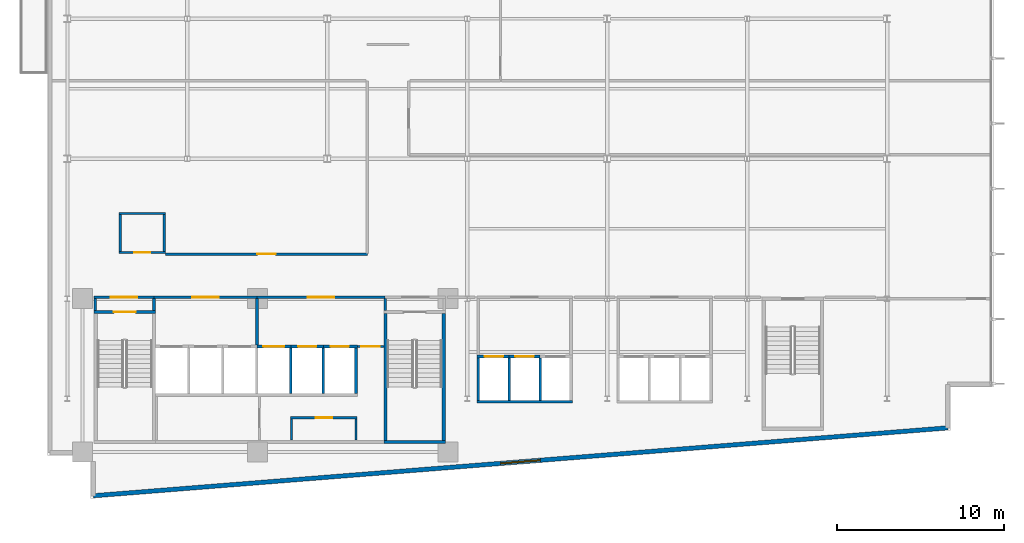
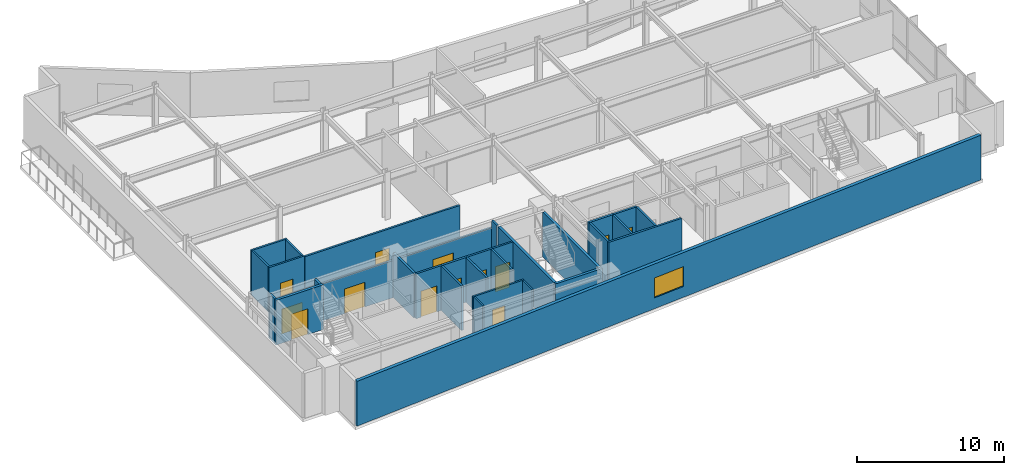
# One storey, part 10 of 17: 33 walls, 13 doors, 1 window, 14 openings.
"""IFC4 building model written with IfcOpenShell, lengths in metres."""

import ifcopenshell
import ifcopenshell.guid

model = None  # the IFC model being written
_history = None  # IfcOwnerHistory: only IFC2X3 demands one
_inside = {}  # id of a spatial element -> (the spatial element, [elements in it])
_under = {}  # id of a project, library or spatial element -> (it, [spatial elements below it])
_declared = {}  # id of a project -> (the project, [libraries it declares])
_typed = {}  # id of a type object -> (the type object, [elements of that type])
_made_of = {}  # id of a material, layer set ... -> (it, [elements and type objects made of it])


def new_model(schema):
    """Start an empty IFC model of exactly this schema.

    Asked for "IFC4X3", IfcOpenShell would pick the latest addendum, in which some entities
    have other attributes; the version numbers below select the first issue.
    IFC2X3 requires an IfcOwnerHistory on every rooted entity: one is made here for all.
    """
    global model, _history
    if schema == "IFC4X3":
        model = ifcopenshell.file(schema_version=(4, 3, 0, 0))
    else:
        model = ifcopenshell.file(schema=schema)
    _inside.clear()
    _under.clear()
    _declared.clear()
    _typed.clear()
    _made_of.clear()
    _history = None
    if model.schema == "IFC2X3":
        org = make("IfcOrganization", Name="unknown")
        user = make(
            "IfcPersonAndOrganization",
            ThePerson=make("IfcPerson", FamilyName="unknown"),
            TheOrganization=org,
        )
        app = make(
            "IfcApplication",
            ApplicationDeveloper=org,
            Version="unknown",
            ApplicationFullName="unknown",
            ApplicationIdentifier="unknown",
        )
        _history = make(
            "IfcOwnerHistory",
            OwningUser=user,
            OwningApplication=app,
            ChangeAction="ADDED",
            CreationDate=0,
        )
    return model


def make(cls, **values):
    """One entity of the class cls with the attributes given. An attribute that is None is left unset."""
    return model.create_entity(
        cls, **{name: value for name, value in values.items() if value is not None}
    )


def rooted(cls, **values):
    """An entity with a GlobalId (a new one), such as an element, a storey or a relation."""
    return make(cls, GlobalId=ifcopenshell.guid.new(), OwnerHistory=_history, **values)


def si_unit(unit_type, name, prefix=None):
    """IfcSIUnit, for example si_unit("LENGTHUNIT", "METRE", prefix="MILLI")."""
    return make("IfcSIUnit", UnitType=unit_type, Prefix=prefix, Name=name)


def assignment(units):
    """IfcUnitAssignment: the units of a project."""
    return None if units is None else make("IfcUnitAssignment", Units=units)


def point(xyz):
    """IfcCartesianPoint."""
    return None if xyz is None else make("IfcCartesianPoint", Coordinates=xyz)


def direction(xyz):
    """IfcDirection."""
    return None if xyz is None else make("IfcDirection", DirectionRatios=xyz)


def frame(location, z_axis=None, x_axis=None):
    """IfcAxis2Placement3D, a coordinate frame: its origin and axes. An axis left out is left unset."""
    return make(
        "IfcAxis2Placement3D",
        Location=point(location),
        Axis=direction(z_axis),
        RefDirection=direction(x_axis),
    )


def frame_2d(location, x_axis=None):
    """IfcAxis2Placement2D, a coordinate frame in the plane: its origin and x axis."""
    return make(
        "IfcAxis2Placement2D", Location=point(location), RefDirection=direction(x_axis)
    )


def origin():
    """The frame at (0, 0, 0) with its axes left unset."""
    return frame((0.0, 0.0, 0.0))


def place(relative_to, where):
    """IfcLocalPlacement: puts the frame where relative to a parent placement (None: the world)."""
    return make(
        "IfcLocalPlacement", PlacementRelTo=relative_to, RelativePlacement=where
    )


def context(
    kind, dimensions, precision=None, world=None, true_north=None, identifier=None
):
    """IfcGeometricRepresentationContext, for example the 3D "Model" context."""
    return make(
        "IfcGeometricRepresentationContext",
        ContextIdentifier=identifier,
        ContextType=kind,
        CoordinateSpaceDimension=dimensions,
        Precision=precision,
        WorldCoordinateSystem=world,
        TrueNorth=true_north,
    )


def subcontext(parent, identifier, kind, view, scale=None):
    """IfcGeometricRepresentationSubContext, for example "Body" below "Model"."""
    return make(
        "IfcGeometricRepresentationSubContext",
        ContextIdentifier=identifier,
        ContextType=kind,
        ParentContext=parent,
        TargetScale=scale,
        TargetView=view,
    )


def project(units=None, contexts=None):
    """IfcProject with its units and contexts."""
    return rooted(
        "IfcProject",
        Name="project",
        RepresentationContexts=contexts,
        UnitsInContext=assignment(units),
    )


def spatial(cls, under=None, at=None, **own):
    """A site, building, storey or space (cls), placed at a placement, below another one or the project."""
    s = rooted(cls, ObjectPlacement=at, **own)
    if under is not None:
        _under.setdefault(under.id(), (under, []))[1].append(s)
    return s


def profile(cls, at=None, kind="AREA", **sizes):
    """A parametric profile (cls). Its sizes go by their IFC names, for example OverallWidth=200.0."""
    return make(cls, ProfileType=kind, Position=at, **sizes)


def rectangle(**sizes):
    """IfcRectangleProfileDef."""
    return profile("IfcRectangleProfileDef", **sizes)


def extrude(swept, where, along, depth):
    """IfcExtrudedAreaSolid: the profile swept, set in the frame where, extruded along a direction by depth."""
    return make(
        "IfcExtrudedAreaSolid",
        SweptArea=swept,
        Position=where,
        ExtrudedDirection=direction(along),
        Depth=depth,
    )


def shape(context_of_items, identifier, shape_type, items):
    """IfcShapeRepresentation: the items that make up one representation, for example the "Body"."""
    return make(
        "IfcShapeRepresentation",
        ContextOfItems=context_of_items,
        RepresentationIdentifier=identifier,
        RepresentationType=shape_type,
        Items=items,
    )


def material(Name=None, Category=None):
    """IfcMaterial."""
    return make("IfcMaterial", Name=Name, Category=Category)


def layer(
    of_material, thickness, ventilated=None, Name=None, Category=None, Priority=None
):
    """IfcMaterialLayer: one layer of a wall or slab, of a material (None: an air gap)."""
    return make(
        "IfcMaterialLayer",
        Material=of_material,
        LayerThickness=thickness,
        IsVentilated=ventilated,
        Name=Name,
        Category=Category,
        Priority=Priority,
    )


def layer_set(layers, Name=None):
    """IfcMaterialLayerSet."""
    return make("IfcMaterialLayerSet", MaterialLayers=layers, LayerSetName=Name)


def made_of(thing, what):
    """Note that an element or type object is made of a material, layer set ...; save() writes the relation."""
    if what is not None:
        _made_of.setdefault(what.id(), (what, []))[1].append(thing)
    return thing


def type_object(cls, material=None, **own):
    """A type object (cls), such as IfcWallType, which elements share."""
    return made_of(rooted(cls, **own), material)


def element(
    cls,
    number,
    at=None,
    inside=None,
    cuts=None,
    type_object=None,
    material=None,
    context=None,
    identifier="Body",
    shape_type=None,
    held_by="IfcProductDefinitionShape",
    body=None,
    shapes=None,
    **own,
):
    """One element of the class cls, such as IfcWall. Its Tag is "e" and its number.

    at: its placement. inside: the storey or other place that contains it. cuts: it is an
    opening in that element (IfcRelVoidsElement). A single representation is given by context,
    identifier, shape_type and body (its items); several are given by shapes. held_by: the class
    of the entity that holds the representations. save() writes the other relations.
    """
    e = rooted(cls, Tag="e%d" % number, ObjectPlacement=at, **own)
    if body is not None:
        shapes = [shape(context, identifier, shape_type, body)]
    if shapes is not None:
        e.Representation = make(held_by, Representations=shapes)
    if inside is not None:
        _inside.setdefault(inside.id(), (inside, []))[1].append(e)
    if cuts is not None:
        rooted(
            "IfcRelVoidsElement", RelatingBuildingElement=cuts, RelatedOpeningElement=e
        )
    if type_object is not None:
        _typed.setdefault(type_object.id(), (type_object, []))[1].append(e)
    return made_of(e, material)


def fill(opening, filler):
    """IfcRelFillsElement: the door or window that sits in an opening."""
    return rooted(
        "IfcRelFillsElement",
        RelatingOpeningElement=opening,
        RelatedBuildingElement=filler,
    )


def aggregate(whole, parts):
    """IfcRelAggregates: a whole, such as a stair, and the parts it consists of."""
    return rooted("IfcRelAggregates", RelatingObject=whole, RelatedObjects=parts)


def save(model, path):
    """Write the relations noted so far, then the file.

    IfcRelAggregates (storeys below a building ...), IfcRelContainedInSpatialStructure (elements
    in a storey), IfcRelDefinesByType, IfcRelAssociatesMaterial and IfcRelDeclares: one each for
    every whole, place, type object, material and project.
    """
    for whole, parts in _under.values():
        aggregate(whole, parts)
    for where, things in _inside.values():
        rooted(
            "IfcRelContainedInSpatialStructure",
            RelatedElements=things,
            RelatingStructure=where,
        )
    for kind, things in _typed.values():
        rooted("IfcRelDefinesByType", RelatedObjects=things, RelatingType=kind)
    for what, things in _made_of.values():
        rooted("IfcRelAssociatesMaterial", RelatedObjects=things, RelatingMaterial=what)
    for by, libraries in _declared.values():
        rooted("IfcRelDeclares", RelatingContext=by, RelatedDefinitions=libraries)
    model.write(path)


model = new_model("IFC4")

# Units and contexts
model_context = context("Model", 3, precision=1e-05, world=origin(), true_north=direction((0.0, 1.0)))
body_context = subcontext(model_context, "Body", "Model", "MODEL_VIEW")
ifc_project = project(units=[si_unit("LENGTHUNIT", "METRE"), si_unit("AREAUNIT", "SQUARE_METRE"), si_unit("VOLUMEUNIT", "CUBIC_METRE"), si_unit("PLANEANGLEUNIT", "RADIAN"), si_unit("MASSUNIT", "GRAM", prefix="KILO")], contexts=[model_context])

# Site, building, storey
site_placement = place(None, origin())
site = spatial("IfcSite", under=ifc_project, at=site_placement, CompositionType="ELEMENT")
building_placement = place(site_placement, origin())
building = spatial("IfcBuilding", under=site, at=building_placement, Name="Varnakote Quay Hospital", CompositionType="ELEMENT")
storey_placement = place(building_placement, frame((0.0, 0.0, 103.35009765625)))
storey = spatial("IfcBuildingStorey", under=building, at=storey_placement, Name="L25", CompositionType="ELEMENT", Elevation=103.35009765625)

# Wall
ifc_material_1 = material(Name="Fire-rated acoustic gypsum stud wall", Category="gypsum")
ifc_layer_1 = layer(ifc_material_1, 0.159912109375)
ifc_layer_set_1 = layer_set([ifc_layer_1], Name="Fire-rated acoustic gypsum stud wall")
wall_type_1 = type_object("IfcWallType", Name="WL-COMP-160", PredefinedType="PARTITIONING", material=ifc_layer_set_1)
wall_1_placement = place(storey_placement, frame((2.8798828125, 11.300048828125, 0.0), z_axis=(0.0, 0.0, 1.0), x_axis=(0.0, 1.0, 0.0)))
element("IfcWall", 1, at=wall_1_placement, inside=storey, type_object=wall_type_1, Name="L25 West Stair Vestibule West Wall", PredefinedType="PARTITIONING", context=body_context, shape_type="SweptSolid", body=[
    extrude(rectangle(XDim=0.699951171875, YDim=0.159912109375, at=frame_2d((0.35009765625, 0.0))), origin(), (0.0, 0.0, 1.0), 3.7099609375),
])

# Wall, opening, door
wall_2_placement = place(storey_placement, frame((2.800048828125, 12.080078125, 0.0), z_axis=(0.0, 0.0, 1.0), x_axis=(1.0, 0.0, 0.0)))
wall_2 = element("IfcWall", 2, at=wall_2_placement, inside=storey, type_object=wall_type_1, Name="L25 West Stair Vestibule Smoke Wall", PredefinedType="PARTITIONING", context=body_context, shape_type="SweptSolid", body=[
    extrude(rectangle(XDim=3.599853515625, YDim=0.159912109375, at=frame_2d((1.7998046875, 0.0))), origin(), (0.0, 0.0, 1.0), 3.0830078125),
])
opening_1_placement = place(wall_2_placement, frame((1.0, 0.0, 0.0)))
opening_1 = element("IfcOpeningElement", 3, at=opening_1_placement, cuts=wall_2, Name="Opening D-ST1L-L25", PredefinedType="OPENING", context=body_context, shape_type="SweptSolid", body=[
    extrude(rectangle(XDim=1.60009765625, YDim=2.050048828125, at=frame_2d((0.800048828125, 1.02490234375))), frame((0.0, 0.08984375, 0.0), z_axis=(0.0, -1.0, 0.0), x_axis=(1.0, 0.0, 0.0)), (0.0, 0.0, 1.0), 0.179931640625),
])
ifc_material_2 = material(Name="Fire-rated double smoke lobby door")
door_type_1 = type_object("IfcDoorType", Name="DR-LOBBY-FD60S-1600x2150", OperationType="NOTDEFINED", PredefinedType="DOOR", material=ifc_material_2)
door_1_placement = place(opening_1_placement, origin())
door_1 = element("IfcDoor", 4, at=door_1_placement, inside=storey, type_object=door_type_1, Name="L25 West Stair Vestibule Smoke Door", OperationType="DOUBLE_DOOR_SINGLE_SWING", OverallHeight=2.050048828125, OverallWidth=1.60009765625, PredefinedType="DOOR", context=body_context, shape_type="SweptSolid", body=[
    extrude(rectangle(XDim=1.60009765625, YDim=2.050048828125, at=frame_2d((0.800048828125, 1.02490234375))), frame((0.0, 0.02490234375, 0.0), z_axis=(0.0, -1.0, 0.0), x_axis=(1.0, 0.0, 0.0)), (0.0, 0.0, 1.0), 0.050048828125),
])
fill(opening_1, door_1)

# Wall
wall_3_placement = place(storey_placement, frame((6.39990234375, 11.300048828125, 0.0), z_axis=(0.0, 0.0, 1.0), x_axis=(0.0, 1.0, 0.0)))
element("IfcWall", 5, at=wall_3_placement, inside=storey, type_object=wall_type_1, Name="L25 Firefighting Lobby West Wall", PredefinedType="PARTITIONING", context=body_context, shape_type="SweptSolid", body=[
    extrude(rectangle(XDim=0.699951171875, YDim=0.159912109375, at=frame_2d((0.35009765625, 0.0))), origin(), (0.0, 0.0, 1.0), 3.7099609375),
])

# Wall, opening, door
wall_4_placement = place(storey_placement, frame((6.39990234375, 12.080078125, 0.0), z_axis=(0.0, 0.0, 1.0), x_axis=(1.0, 0.0, 0.0)))
wall_4 = element("IfcWall", 6, at=wall_4_placement, inside=storey, type_object=wall_type_1, Name="L25 Firefighting Lift Lobby Compartment Wall", PredefinedType="PARTITIONING", context=body_context, shape_type="SweptSolid", body=[
    extrude(rectangle(XDim=6.18017578125, YDim=0.159912109375, at=frame_2d((3.090087890625, 0.0))), origin(), (0.0, 0.0, 1.0), 3.0830078125),
])
opening_2_placement = place(wall_4_placement, frame((2.2900390625, 0.0, 0.0)))
opening_2 = element("IfcOpeningElement", 7, at=opening_2_placement, cuts=wall_4, Name="Opening D-FFL-L25", PredefinedType="OPENING", context=body_context, shape_type="SweptSolid", body=[
    extrude(rectangle(XDim=1.60009765625, YDim=2.050048828125, at=frame_2d((0.800048828125, 1.02490234375))), frame((0.0, 0.08984375, 0.0), z_axis=(0.0, -1.0, 0.0), x_axis=(1.0, 0.0, 0.0)), (0.0, 0.0, 1.0), 0.179931640625),
])
door_2_placement = place(opening_2_placement, origin())
door_2 = element("IfcDoor", 8, at=door_2_placement, inside=storey, type_object=door_type_1, Name="L25 Firefighting Smoke Vestibule Door", OperationType="DOUBLE_DOOR_SINGLE_SWING", OverallHeight=2.050048828125, OverallWidth=1.60009765625, PredefinedType="DOOR", context=body_context, shape_type="SweptSolid", body=[
    extrude(rectangle(XDim=1.60009765625, YDim=2.050048828125, at=frame_2d((0.800048828125, 1.02490234375))), frame((0.0, 0.02490234375, 0.0), z_axis=(0.0, -1.0, 0.0), x_axis=(1.0, 0.0, 0.0)), (0.0, 0.0, 1.0), 0.050048828125),
])
fill(opening_2, door_2)

# Wall
wall_5_placement = place(storey_placement, frame((12.580078125, 9.2099609375, 0.0), z_axis=(0.0, 0.0, 1.0), x_axis=(0.0, 1.0, 0.0)))
element("IfcWall", 9, at=wall_5_placement, inside=storey, type_object=wall_type_1, Name="L25 Firefighting to Service Lobby Wall", PredefinedType="PARTITIONING", context=body_context, shape_type="SweptSolid", body=[
    extrude(rectangle(XDim=2.7900390625, YDim=0.159912109375, at=frame_2d((1.39501953125, 0.0))), origin(), (0.0, 0.0, 1.0), 3.7099609375),
])

# Wall, opening, door
wall_6_placement = place(storey_placement, frame((12.580078125, 12.080078125, 0.0), z_axis=(0.0, 0.0, 1.0), x_axis=(1.0, 0.0, 0.0)))
wall_6 = element("IfcWall", 10, at=wall_6_placement, inside=storey, type_object=wall_type_1, Name="L25 Clinical Bed Lift Lobby Wall", PredefinedType="PARTITIONING", context=body_context, shape_type="SweptSolid", body=[
    extrude(rectangle(XDim=7.699951171875, YDim=0.159912109375, at=frame_2d((3.85009765625, 0.0))), origin(), (0.0, 0.0, 1.0), 3.0830078125),
])
opening_3_placement = place(wall_6_placement, frame((3.050048828125, 0.0, 0.0)))
opening_3 = element("IfcOpeningElement", 11, at=opening_3_placement, cuts=wall_6, Name="Opening D-SVL-L25", PredefinedType="OPENING", context=body_context, shape_type="SweptSolid", body=[
    extrude(rectangle(XDim=1.60009765625, YDim=2.050048828125, at=frame_2d((0.800048828125, 1.02490234375))), frame((0.0, 0.08984375, 0.0), z_axis=(0.0, -1.0, 0.0), x_axis=(1.0, 0.0, 0.0)), (0.0, 0.0, 1.0), 0.179931640625),
])
door_3_placement = place(opening_3_placement, origin())
door_3 = element("IfcDoor", 12, at=door_3_placement, inside=storey, type_object=door_type_1, Name="L25 Clinical Core Smoke Vestibule Door", OperationType="DOUBLE_DOOR_SINGLE_SWING", OverallHeight=2.050048828125, OverallWidth=1.60009765625, PredefinedType="DOOR", context=body_context, shape_type="SweptSolid", body=[
    extrude(rectangle(XDim=1.60009765625, YDim=2.050048828125, at=frame_2d((0.800048828125, 1.02490234375))), frame((0.0, 0.02490234375, 0.0), z_axis=(0.0, -1.0, 0.0), x_axis=(1.0, 0.0, 0.0)), (0.0, 0.0, 1.0), 0.050048828125),
])
fill(opening_3, door_3)

# Wall
wall_7_placement = place(storey_placement, frame((20.280029296875, 11.300048828125, 0.0), z_axis=(0.0, 0.0, 1.0), x_axis=(0.0, 1.0, 0.0)))
element("IfcWall", 13, at=wall_7_placement, inside=storey, type_object=wall_type_1, Name="L25 East Stair Vestibule Divider Wall", PredefinedType="PARTITIONING", context=body_context, shape_type="SweptSolid", body=[
    extrude(rectangle(XDim=0.699951171875, YDim=0.159912109375, at=frame_2d((0.35009765625, 0.0))), origin(), (0.0, 0.0, 1.0), 3.7099609375),
])

# Wall, opening, window
ifc_material_3 = material(Name="Precast concrete N50 (f'c 50 MPa)", Category="concrete")
ifc_layer_2 = layer(ifc_material_3, 0.260009765625)
ifc_layer_set_2 = layer_set([ifc_layer_2], Name="Precast concrete N50 (f'c 50 MPa)")
wall_type_2 = type_object("IfcWallType", Name="WL-EXT-BRICK-260", PredefinedType="STANDARD", material=ifc_layer_set_2)
wall_8_placement = place(storey_placement, frame((2.760009765625, 0.173095703125, 0.0), z_axis=(0.0, 0.0, 1.0), x_axis=(0.996857931723, 0.079210251617, 0.0)))
wall_8 = element("IfcWall", 14, at=wall_8_placement, inside=storey, type_object=wall_type_2, Name="L25 Brick-Faced Precast Exterior Wall", PredefinedType="STANDARD", context=body_context, shape_type="SweptSolid", body=[
    extrude(rectangle(XDim=51.441650390625, YDim=0.260009765625, at=frame_2d((25.720703125, 0.0))), origin(), (0.0, 0.0, 1.0), 3.7099609375),
])
opening_4_placement = place(wall_8_placement, frame((24.520751953125, 0.0, 0.89990234375)))
opening_4 = element("IfcOpeningElement", 15, at=opening_4_placement, cuts=wall_8, Name="Opening WN-0110", PredefinedType="OPENING", context=body_context, shape_type="SweptSolid", body=[
    extrude(rectangle(XDim=2.39990234375, YDim=1.64990234375, at=frame_2d((1.199951171875, 0.824951171875))), frame((0.0, 0.139892578125, 0.0), z_axis=(0.0, -1.0, 0.0), x_axis=(1.0, 0.0, 0.0)), (0.0, 0.0, 1.0), 0.280029296875),
])
ifc_material_4 = material(Name="Double-glazed low-E solar glass", Category="glass")
window_type = type_object("IfcWindowType", Name="WIN-CLIN-2400x1650", PartitioningType="SINGLE_PANEL", PredefinedType="WINDOW", material=ifc_material_4)
window_placement = place(opening_4_placement, origin())
window = element("IfcWindow", 16, at=window_placement, inside=storey, type_object=window_type, Name="L25 Solar-Control Clinical Window", OverallHeight=1.64990234375, OverallWidth=2.39990234375, PartitioningType="SINGLE_PANEL", PredefinedType="WINDOW", context=body_context, shape_type="SweptSolid", body=[
    extrude(rectangle(XDim=2.39990234375, YDim=1.64990234375, at=frame_2d((1.199951171875, 0.824951171875))), frame((0.0, 0.030029296875, 0.0), z_axis=(0.0, -1.0, 0.0), x_axis=(1.0, 0.0, 0.0)), (0.0, 0.0, 1.0), 0.06005859375),
])
fill(opening_4, window)

# Walls
ifc_material_5 = material(Name="Concrete N50 (f'c 50 MPa)", Category="concrete")
ifc_layer_3 = layer(ifc_material_5, 0.14990234375)
ifc_layer_set_3 = layer_set([ifc_layer_3], Name="Concrete N50 (f'c 50 MPa)")
wall_type_3 = type_object("IfcWallType", Name="WL-SHAFT-N50-150", PredefinedType="SHEAR", material=ifc_layer_set_3)
for number, where, z_axis, x_axis, name in (
    (17, (14.625, 6.300048828125, 0.0), (0.0, 0.0, 1.0), (0.0, 1.0, 0.0), "L25 LF-SV2 Hoistway Divider Wall"),
    (18, (16.574951171875, 6.300048828125, 0.0), (0.0, 0.0, 1.0), (0.0, 1.0, 0.0), "L25 LF-PH1 Hoistway Divider Wall"),
):
    element("IfcWall", number, at=place(storey_placement, frame(where, z_axis=z_axis, x_axis=x_axis)), inside=storey, type_object=wall_type_3, Name=name, PredefinedType="SHEAR", context=body_context, shape_type="SweptSolid", body=[
        extrude(rectangle(XDim=2.75, YDim=0.14990234375, at=frame_2d((1.375, 0.0))), origin(), (0.0, 0.0, 1.0), 3.7099609375),
    ])
for number, where, z_axis, x_axis, name in (
    (19, (27.72509765625, 5.89990234375, 0.0), (0.0, 0.0, 1.0), (0.0, 1.0, 0.0), "L25 LF-PL1 Hoistway Divider Wall"),
    (20, (29.574951171875, 5.89990234375, 0.0), (0.0, 0.0, 1.0), (0.0, 1.0, 0.0), "L25 LF-PL2 Hoistway Divider Wall"),
):
    element("IfcWall", number, at=place(storey_placement, frame(where, z_axis=z_axis, x_axis=x_axis)), inside=storey, type_object=wall_type_3, Name=name, PredefinedType="SHEAR", context=body_context, shape_type="SweptSolid", body=[
        extrude(rectangle(XDim=2.550048828125, YDim=0.14990234375, at=frame_2d((1.27490234375, 0.0))), origin(), (0.0, 0.0, 1.0), 3.7099609375),
    ])
ifc_material_6 = material(Name="Concrete N50 (f'c 50 MPa)", Category="concrete")
ifc_layer_4 = layer(ifc_material_6, 0.159912109375)
ifc_layer_set_4 = layer_set([ifc_layer_4], Name="Concrete N50 (f'c 50 MPa)")
wall_type_4 = type_object("IfcWallType", Name="WL-SHAFT-N50-160", PredefinedType="SHEAR", material=ifc_layer_set_4)
wall_9_placement = place(storey_placement, frame((18.530029296875, 6.300048828125, 0.0), z_axis=(0.0, 0.0, 1.0), x_axis=(0.0, 1.0, 0.0)))
element("IfcWall", 21, at=wall_9_placement, inside=storey, type_object=wall_type_4, Name="L25 REAR Lift Bank East Shear Wall", PredefinedType="SHEAR", context=body_context, shape_type="SweptSolid", body=[
    extrude(rectangle(XDim=2.75, YDim=0.159912109375, at=frame_2d((1.375, 0.0))), origin(), (0.0, 0.0, 1.0), 3.7099609375),
])

# Wall, opening, door
wall_10_placement = place(storey_placement, frame((12.574951171875, 9.1298828125, 0.0), z_axis=(0.0, 0.0, 1.0), x_axis=(1.0, 0.0, 0.0)))
wall_10 = element("IfcWall", 22, at=wall_10_placement, inside=storey, type_object=wall_type_4, Name="L25 LF-SV2 Hoistway Front Wall", PredefinedType="SHEAR", context=body_context, shape_type="SweptSolid", body=[
    extrude(rectangle(XDim=2.050048828125, YDim=0.159912109375, at=frame_2d((1.02490234375, 0.0))), origin(), (0.0, 0.0, 1.0), 3.7099609375),
])
opening_5_placement = place(wall_10_placement, frame((0.39990234375, 0.0, 0.0)))
opening_5 = element("IfcOpeningElement", 23, at=opening_5_placement, cuts=wall_10, Name="Opening LD-SV2-L25", PredefinedType="OPENING", context=body_context, shape_type="SweptSolid", body=[
    extrude(rectangle(XDim=1.25, YDim=2.14990234375, at=frame_2d((0.625, 1.074951171875))), frame((0.0, 0.08984375, 0.0), z_axis=(0.0, -1.0, 0.0), x_axis=(1.0, 0.0, 0.0)), (0.0, 0.0, 1.0), 0.179931640625),
])
ifc_material_7 = material(Name="Stainless steel lift landing sliding door", Category="steel")
door_type_2 = type_object("IfcDoorType", Name="DR-LIFT-LD-1250x2150", OperationType="NOTDEFINED", PredefinedType="DOOR", material=ifc_material_7)
door_4_placement = place(opening_5_placement, origin())
door_4 = element("IfcDoor", 24, at=door_4_placement, inside=storey, type_object=door_type_2, Name="L25 LF-SV2 Lift Landing Sliding Door", OperationType="SLIDING_TO_LEFT", OverallHeight=2.14990234375, OverallWidth=1.25, PredefinedType="DOOR", context=body_context, shape_type="SweptSolid", body=[
    extrude(rectangle(XDim=1.25, YDim=2.14990234375, at=frame_2d((0.625, 1.074951171875))), frame((0.0, 0.02490234375, 0.0), z_axis=(0.0, -1.0, 0.0), x_axis=(1.0, 0.0, 0.0)), (0.0, 0.0, 1.0), 0.050048828125),
])
fill(opening_5, door_4)

wall_11_placement = place(storey_placement, frame((14.625, 9.1298828125, 0.0), z_axis=(0.0, 0.0, 1.0), x_axis=(1.0, 0.0, 0.0)))
wall_11 = element("IfcWall", 25, at=wall_11_placement, inside=storey, type_object=wall_type_4, Name="L25 LF-PH1 Hoistway Front Wall", PredefinedType="SHEAR", context=body_context, shape_type="SweptSolid", body=[
    extrude(rectangle(XDim=1.949951171875, YDim=0.159912109375, at=frame_2d((0.97509765625, 0.0))), origin(), (0.0, 0.0, 1.0), 3.7099609375),
])
opening_6_placement = place(wall_11_placement, frame((0.425048828125, 0.0, 0.0)))
opening_6 = element("IfcOpeningElement", 26, at=opening_6_placement, cuts=wall_11, Name="Opening LD-PH1-L25", PredefinedType="OPENING", context=body_context, shape_type="SweptSolid", body=[
    extrude(rectangle(XDim=1.10009765625, YDim=2.14990234375, at=frame_2d((0.550048828125, 1.074951171875))), frame((0.0, 0.08984375, 0.0), z_axis=(0.0, -1.0, 0.0), x_axis=(1.0, 0.0, 0.0)), (0.0, 0.0, 1.0), 0.179931640625),
])
ifc_material_8 = material(Name="Brushed bronze lift landing sliding door")
door_type_3 = type_object("IfcDoorType", Name="DR-LIFT-LD-1100x2150", OperationType="NOTDEFINED", PredefinedType="DOOR", material=ifc_material_8)
door_5_placement = place(opening_6_placement, origin())
door_5 = element("IfcDoor", 27, at=door_5_placement, inside=storey, type_object=door_type_3, Name="L25 LF-PH1 Lift Landing Sliding Door", OperationType="SLIDING_TO_LEFT", OverallHeight=2.14990234375, OverallWidth=1.10009765625, PredefinedType="DOOR", context=body_context, shape_type="SweptSolid", body=[
    extrude(rectangle(XDim=1.10009765625, YDim=2.14990234375, at=frame_2d((0.550048828125, 1.074951171875))), frame((0.0, 0.02490234375, 0.0), z_axis=(0.0, -1.0, 0.0), x_axis=(1.0, 0.0, 0.0)), (0.0, 0.0, 1.0), 0.050048828125),
])
fill(opening_6, door_5)

wall_12_placement = place(storey_placement, frame((16.574951171875, 9.1298828125, 0.0), z_axis=(0.0, 0.0, 1.0), x_axis=(1.0, 0.0, 0.0)))
wall_12 = element("IfcWall", 28, at=wall_12_placement, inside=storey, type_object=wall_type_4, Name="L25 LF-PH2 Hoistway Front Wall", PredefinedType="SHEAR", context=body_context, shape_type="SweptSolid", body=[
    extrude(rectangle(XDim=2.03515625, YDim=0.159912109375, at=frame_2d((1.017578125, 0.0))), origin(), (0.0, 0.0, 1.0), 3.7099609375),
])
opening_7_placement = place(wall_12_placement, frame((0.425048828125, 0.0, 0.0)))
opening_7 = element("IfcOpeningElement", 29, at=opening_7_placement, cuts=wall_12, Name="Opening LD-PH2-L25", PredefinedType="OPENING", context=body_context, shape_type="SweptSolid", body=[
    extrude(rectangle(XDim=1.10009765625, YDim=2.14990234375, at=frame_2d((0.550048828125, 1.074951171875))), frame((0.0, 0.08984375, 0.0), z_axis=(0.0, -1.0, 0.0), x_axis=(1.0, 0.0, 0.0)), (0.0, 0.0, 1.0), 0.179931640625),
])
door_6_placement = place(opening_7_placement, origin())
door_6 = element("IfcDoor", 30, at=door_6_placement, inside=storey, type_object=door_type_3, Name="L25 LF-PH2 Lift Landing Sliding Door", OperationType="SLIDING_TO_LEFT", OverallHeight=2.14990234375, OverallWidth=1.10009765625, PredefinedType="DOOR", context=body_context, shape_type="SweptSolid", body=[
    extrude(rectangle(XDim=1.10009765625, YDim=2.14990234375, at=frame_2d((0.550048828125, 1.074951171875))), frame((0.0, 0.02490234375, 0.0), z_axis=(0.0, -1.0, 0.0), x_axis=(1.0, 0.0, 0.0)), (0.0, 0.0, 1.0), 0.050048828125),
])
fill(opening_7, door_6)

# Walls
wall_13_placement = place(storey_placement, frame((25.7900390625, 5.820068359375, 0.0), z_axis=(0.0, 0.0, 1.0), x_axis=(1.0, 0.0, 0.0)))
element("IfcWall", 31, at=wall_13_placement, inside=storey, type_object=wall_type_4, Name="L25 LOW Lift Bank Back Shear Wall", PredefinedType="SHEAR", context=body_context, shape_type="SweptSolid", body=[
    extrude(rectangle(XDim=5.719970703125, YDim=0.159912109375, at=frame_2d((2.85986328125, 0.0))), origin(), (0.0, 0.0, 1.0), 3.7099609375),
])
wall_14_placement = place(storey_placement, frame((25.8701171875, 5.89990234375, 0.0), z_axis=(0.0, 0.0, 1.0), x_axis=(0.0, 1.0, 0.0)))
element("IfcWall", 32, at=wall_14_placement, inside=storey, type_object=wall_type_4, Name="L25 LOW Lift Bank West Shear Wall", PredefinedType="SHEAR", context=body_context, shape_type="SweptSolid", body=[
    extrude(rectangle(XDim=2.550048828125, YDim=0.159912109375, at=frame_2d((1.27490234375, 0.0))), origin(), (0.0, 0.0, 1.0), 3.7099609375),
])

# Wall, opening, door
wall_15_placement = place(storey_placement, frame((25.7900390625, 8.530029296875, 0.0), z_axis=(0.0, 0.0, 1.0), x_axis=(1.0, 0.0, 0.0)))
wall_15 = element("IfcWall", 33, at=wall_15_placement, inside=storey, type_object=wall_type_4, Name="L25 LF-PL1 Hoistway Front Wall", PredefinedType="SHEAR", context=body_context, shape_type="SweptSolid", body=[
    extrude(rectangle(XDim=1.93505859375, YDim=0.159912109375, at=frame_2d((0.967529296875, 0.0))), origin(), (0.0, 0.0, 1.0), 3.7099609375),
])
opening_8_placement = place(wall_15_placement, frame((0.4599609375, 0.0, 0.0)))
opening_8 = element("IfcOpeningElement", 34, at=opening_8_placement, cuts=wall_15, Name="Opening LD-PL1-L25", PredefinedType="OPENING", context=body_context, shape_type="SweptSolid", body=[
    extrude(rectangle(XDim=1.10009765625, YDim=2.14990234375, at=frame_2d((0.550048828125, 1.074951171875))), frame((0.0, 0.08984375, 0.0), z_axis=(0.0, -1.0, 0.0), x_axis=(1.0, 0.0, 0.0)), (0.0, 0.0, 1.0), 0.179931640625),
])
door_7_placement = place(opening_8_placement, origin())
door_7 = element("IfcDoor", 35, at=door_7_placement, inside=storey, type_object=door_type_3, Name="L25 LF-PL1 Lift Landing Sliding Door", OperationType="SLIDING_TO_LEFT", OverallHeight=2.14990234375, OverallWidth=1.10009765625, PredefinedType="DOOR", context=body_context, shape_type="SweptSolid", body=[
    extrude(rectangle(XDim=1.10009765625, YDim=2.14990234375, at=frame_2d((0.550048828125, 1.074951171875))), frame((0.0, 0.02490234375, 0.0), z_axis=(0.0, -1.0, 0.0), x_axis=(1.0, 0.0, 0.0)), (0.0, 0.0, 1.0), 0.050048828125),
])
fill(opening_8, door_7)

wall_16_placement = place(storey_placement, frame((27.72509765625, 8.530029296875, 0.0), z_axis=(0.0, 0.0, 1.0), x_axis=(1.0, 0.0, 0.0)))
wall_16 = element("IfcWall", 36, at=wall_16_placement, inside=storey, type_object=wall_type_4, Name="L25 LF-PL2 Hoistway Front Wall", PredefinedType="SHEAR", context=body_context, shape_type="SweptSolid", body=[
    extrude(rectangle(XDim=1.849853515625, YDim=0.159912109375, at=frame_2d((0.9248046875, 0.0))), origin(), (0.0, 0.0, 1.0), 3.7099609375),
])
opening_9_placement = place(wall_16_placement, frame((0.375, 0.0, 0.0)))
opening_9 = element("IfcOpeningElement", 37, at=opening_9_placement, cuts=wall_16, Name="Opening LD-PL2-L25", PredefinedType="OPENING", context=body_context, shape_type="SweptSolid", body=[
    extrude(rectangle(XDim=1.10009765625, YDim=2.14990234375, at=frame_2d((0.550048828125, 1.074951171875))), frame((0.0, 0.08984375, 0.0), z_axis=(0.0, -1.0, 0.0), x_axis=(1.0, 0.0, 0.0)), (0.0, 0.0, 1.0), 0.179931640625),
])
door_8_placement = place(opening_9_placement, origin())
door_8 = element("IfcDoor", 38, at=door_8_placement, inside=storey, type_object=door_type_3, Name="L25 LF-PL2 Lift Landing Sliding Door", OperationType="SLIDING_TO_LEFT", OverallHeight=2.14990234375, OverallWidth=1.10009765625, PredefinedType="DOOR", context=body_context, shape_type="SweptSolid", body=[
    extrude(rectangle(XDim=1.10009765625, YDim=2.14990234375, at=frame_2d((0.550048828125, 1.074951171875))), frame((0.0, 0.02490234375, 0.0), z_axis=(0.0, -1.0, 0.0), x_axis=(1.0, 0.0, 0.0)), (0.0, 0.0, 1.0), 0.050048828125),
])
fill(opening_9, door_8)

ifc_material_9 = material(Name="Concrete N50 (f'c 50 MPa)", Category="concrete")
ifc_layer_5 = layer(ifc_material_9, 0.199951171875)
ifc_layer_set_5 = layer_set([ifc_layer_5], Name="Concrete N50 (f'c 50 MPa)")
wall_type_5 = type_object("IfcWallType", Name="WL-SHAFT-N50-200", PredefinedType="SHEAR", material=ifc_layer_set_5)
wall_17_placement = place(storey_placement, frame((2.800048828125, 11.199951171875, 0.0), z_axis=(0.0, 0.0, 1.0), x_axis=(1.0, 0.0, 0.0)))
wall_17 = element("IfcWall", 39, at=wall_17_placement, inside=storey, type_object=wall_type_5, Name="L25 Stair ST1 Exit Wall", PredefinedType="SHEAR", context=body_context, shape_type="SweptSolid", body=[
    extrude(rectangle(XDim=3.699951171875, YDim=0.199951171875, at=frame_2d((1.85009765625, 0.0))), origin(), (0.0, 0.0, 1.0), 3.7099609375),
])
opening_10_placement = place(wall_17_placement, frame((1.199951171875, 0.0, 0.0)))
opening_10 = element("IfcOpeningElement", 40, at=opening_10_placement, cuts=wall_17, Name="Opening D-ST1-L25", PredefinedType="OPENING", context=body_context, shape_type="SweptSolid", body=[
    extrude(rectangle(XDim=1.300048828125, YDim=2.14990234375, at=frame_2d((0.64990234375, 1.074951171875))), frame((0.0, 0.10986328125, 0.0), z_axis=(0.0, -1.0, 0.0), x_axis=(1.0, 0.0, 0.0)), (0.0, 0.0, 1.0), 0.219970703125),
])
ifc_material_10 = material(Name="Fire-rated ceramic-glazed timber exit door", Category="wood")
door_type_4 = type_object("IfcDoorType", Name="DR-STAIR-FD60S-1300x2150", OperationType="NOTDEFINED", PredefinedType="DOOR", material=ifc_material_10)
door_9_placement = place(opening_10_placement, origin())
door_9 = element("IfcDoor", 41, at=door_9_placement, inside=storey, type_object=door_type_4, Name="L25 Stair ST1 Fire Exit Door", OperationType="SINGLE_SWING_LEFT", OverallHeight=2.14990234375, OverallWidth=1.300048828125, PredefinedType="DOOR", context=body_context, shape_type="SweptSolid", body=[
    extrude(rectangle(XDim=1.300048828125, YDim=2.14990234375, at=frame_2d((0.64990234375, 1.074951171875))), frame((0.0, 0.02490234375, 0.0), z_axis=(0.0, -1.0, 0.0), x_axis=(1.0, 0.0, 0.0)), (0.0, 0.0, 1.0), 0.050048828125),
])
fill(opening_10, door_9)

# Walls
wall_18_placement = place(storey_placement, frame((20.199951171875, 3.39990234375, 0.0), z_axis=(0.0, 0.0, 1.0), x_axis=(1.0, 0.0, 0.0)))
element("IfcWall", 42, at=wall_18_placement, inside=storey, type_object=wall_type_5, Name="L25 Stair ST2 South Shaft Wall", PredefinedType="SHEAR", context=body_context, shape_type="SweptSolid", body=[
    extrude(rectangle(XDim=3.699951171875, YDim=0.199951171875, at=frame_2d((1.85009765625, 0.0))), origin(), (0.0, 0.0, 1.0), 3.7099609375),
])
for number, where, z_axis, x_axis, name in (
    (43, (20.300048828125, 3.5, 0.0), (0.0, 0.0, 1.0), (0.0, 1.0, 0.0), "L25 Stair ST2 West Shaft Wall"),
    (44, (23.800048828125, 3.5, 0.0), (0.0, 0.0, 1.0), (0.0, 1.0, 0.0), "L25 Stair ST2 East Shaft Wall"),
):
    element("IfcWall", number, at=place(storey_placement, frame(where, z_axis=z_axis, x_axis=x_axis)), inside=storey, type_object=wall_type_5, Name=name, PredefinedType="SHEAR", context=body_context, shape_type="SweptSolid", body=[
        extrude(rectangle(XDim=7.60009765625, YDim=0.199951171875, at=frame_2d((3.800048828125, 0.0))), origin(), (0.0, 0.0, 1.0), 3.7099609375),
    ])
ifc_material_11 = material(Name="Smoke-proof clinical partition", Category="gypsum")
ifc_layer_6 = layer(ifc_material_11, 0.1201171875)
ifc_layer_set_6 = layer_set([ifc_layer_6], Name="Smoke-proof clinical partition")
wall_type_6 = type_object("IfcWallType", Name="WL-SMOKE-120", PredefinedType="PARTITIONING", material=ifc_layer_set_6)
for number, where, z_axis, x_axis, name in (
    (45, (14.669921875, 3.52001953125, 0.0), (0.0, 0.0, 1.0), (0.0, 1.0, 0.0), "L25 Core WC West Wall"),
    (46, (18.5400390625, 3.52001953125, 0.0), (0.0, 0.0, 1.0), (0.0, 1.0, 0.0), "L25 Core WC East Wall"),
):
    element("IfcWall", number, at=place(storey_placement, frame(where, z_axis=z_axis, x_axis=x_axis)), inside=storey, type_object=wall_type_6, Name=name, PredefinedType="PARTITIONING", context=body_context, shape_type="SweptSolid", body=[
        extrude(rectangle(XDim=1.260009765625, YDim=0.1201171875, at=frame_2d((0.6298828125, 0.0))), origin(), (0.0, 0.0, 1.0), 3.7099609375),
    ])

# Wall, opening, door
ifc_material_12 = material(Name="Fire-rated clinical gypsum partition", Category="gypsum")
ifc_layer_7 = layer(ifc_material_12, 0.139892578125)
ifc_layer_set_7 = layer_set([ifc_layer_7], Name="Fire-rated clinical gypsum partition")
wall_type_7 = type_object("IfcWallType", Name="WL-WARD-140", PredefinedType="PARTITIONING", material=ifc_layer_set_7)
wall_19_placement = place(storey_placement, frame((14.60009765625, 4.85009765625, 0.0), z_axis=(0.0, 0.0, 1.0), x_axis=(1.0, 0.0, 0.0)))
wall_19 = element("IfcWall", 47, at=wall_19_placement, inside=storey, type_object=wall_type_7, Name="L25 Core Staff Sanitary WC North Wall", PredefinedType="PARTITIONING", context=body_context, shape_type="SweptSolid", body=[
    extrude(rectangle(XDim=4.0, YDim=0.139892578125, at=frame_2d((2.0, 0.0))), origin(), (0.0, 0.0, 1.0), 3.7099609375),
])
opening_11_placement = place(wall_19_placement, frame((1.510009765625, 0.0, 0.0)))
opening_11 = element("IfcOpeningElement", 48, at=opening_11_placement, cuts=wall_19, Name="Opening D-L25-CR02", PredefinedType="OPENING", context=body_context, shape_type="SweptSolid", body=[
    extrude(rectangle(XDim=0.97998046875, YDim=2.10009765625, at=frame_2d((0.489990234375, 1.050048828125))), frame((0.0, 0.079833984375, 0.0), z_axis=(0.0, -1.0, 0.0), x_axis=(1.0, 0.0, 0.0)), (0.0, 0.0, 1.0), 0.159912109375),
])
ifc_material_13 = material(Name="Accessible sanitary compartment door")
door_type_5 = type_object("IfcDoorType", Name="DR-WC-980x2100", OperationType="NOTDEFINED", PredefinedType="DOOR", material=ifc_material_13)
door_10_placement = place(opening_11_placement, origin())
door_10 = element("IfcDoor", 49, at=door_10_placement, inside=storey, type_object=door_type_5, Name="L25 Core Staff Sanitary WC Door", OperationType="SINGLE_SWING_LEFT", OverallHeight=2.10009765625, OverallWidth=0.97998046875, PredefinedType="DOOR", context=body_context, shape_type="SweptSolid", body=[
    extrude(rectangle(XDim=0.97998046875, YDim=2.10009765625, at=frame_2d((0.489990234375, 1.050048828125))), frame((0.0, 0.02490234375, 0.0), z_axis=(0.0, -1.0, 0.0), x_axis=(1.0, 0.0, 0.0)), (0.0, 0.0, 1.0), 0.050048828125),
])
fill(opening_11, door_10)

wall_20_placement = place(storey_placement, frame((18.610107421875, 9.1298828125, 0.0), z_axis=(0.0, 0.0, 1.0), x_axis=(1.0, 0.0, 0.0)))
wall_20 = element("IfcWall", 50, at=wall_20_placement, inside=storey, type_object=wall_type_7, Name="L25 Core Service Corridor North Door Wall", PredefinedType="PARTITIONING", context=body_context, shape_type="SweptSolid", body=[
    extrude(rectangle(XDim=1.58984375, YDim=0.139892578125, at=frame_2d((0.794921875, 0.0))), origin(), (0.0, 0.0, 1.0), 3.7099609375),
])
opening_12_placement = place(wall_20_placement, frame((0.239990234375, 0.0, 0.0)))
opening_12 = element("IfcOpeningElement", 51, at=opening_12_placement, cuts=wall_20, Name="Opening D-CSRV-L25", PredefinedType="OPENING", context=body_context, shape_type="SweptSolid", body=[
    extrude(rectangle(XDim=1.10009765625, YDim=2.10009765625, at=frame_2d((0.550048828125, 1.050048828125))), frame((0.0, 0.079833984375, 0.0), z_axis=(0.0, -1.0, 0.0), x_axis=(1.0, 0.0, 0.0)), (0.0, 0.0, 1.0), 0.159912109375),
])
ifc_material_14 = material(Name="Acoustic timber clinical consult door", Category="wood")
door_type_6 = type_object("IfcDoorType", Name="DR-CLIN-FD30S-1100x2100", OperationType="NOTDEFINED", PredefinedType="DOOR", material=ifc_material_14)
door_11_placement = place(opening_12_placement, origin())
door_11 = element("IfcDoor", 52, at=door_11_placement, inside=storey, type_object=door_type_6, Name="L25 Core Service Corridor Door", OperationType="SINGLE_SWING_RIGHT", OverallHeight=2.10009765625, OverallWidth=1.10009765625, PredefinedType="DOOR", context=body_context, shape_type="SweptSolid", body=[
    extrude(rectangle(XDim=1.10009765625, YDim=2.10009765625, at=frame_2d((0.550048828125, 1.050048828125))), frame((0.0, 0.02490234375, 0.0), z_axis=(0.0, -1.0, 0.0), x_axis=(1.0, 0.0, 0.0)), (0.0, 0.0, 1.0), 0.050048828125),
])
fill(opening_12, door_11)

wall_21_placement = place(storey_placement, frame((4.31005859375, 14.77001953125, 0.0), z_axis=(0.0, 0.0, 1.0), x_axis=(1.0, 0.0, 0.0)))
wall_21 = element("IfcWall", 53, at=wall_21_placement, inside=storey, type_object=wall_type_7, Name="L25 Floor Unisex Accessible WC S Wall", PredefinedType="PARTITIONING", context=body_context, shape_type="SweptSolid", body=[
    extrude(rectangle(XDim=2.780029296875, YDim=0.139892578125, at=frame_2d((1.39013671875, 0.0))), origin(), (0.0, 0.0, 1.0), 3.7099609375),
])
opening_13_placement = place(wall_21_placement, frame((0.89990234375, 0.0, 0.0)))
opening_13 = element("IfcOpeningElement", 54, at=opening_13_placement, cuts=wall_21, Name="Opening D-L25-EW01", PredefinedType="OPENING", context=body_context, shape_type="SweptSolid", body=[
    extrude(rectangle(XDim=0.97998046875, YDim=2.10009765625, at=frame_2d((0.489990234375, 1.050048828125))), frame((0.0, 0.079833984375, 0.0), z_axis=(0.0, -1.0, 0.0), x_axis=(1.0, 0.0, 0.0)), (0.0, 0.0, 1.0), 0.159912109375),
])
door_12_placement = place(opening_13_placement, origin())
door_12 = element("IfcDoor", 55, at=door_12_placement, inside=storey, type_object=door_type_5, Name="L25 Floor Unisex Accessible WC Door", OperationType="SINGLE_SWING_LEFT", OverallHeight=2.10009765625, OverallWidth=0.97998046875, PredefinedType="DOOR", context=body_context, shape_type="SweptSolid", body=[
    extrude(rectangle(XDim=0.97998046875, YDim=2.10009765625, at=frame_2d((0.489990234375, 1.050048828125))), frame((0.0, 0.02490234375, 0.0), z_axis=(0.0, -1.0, 0.0), x_axis=(1.0, 0.0, 0.0)), (0.0, 0.0, 1.0), 0.050048828125),
])
fill(opening_13, door_12)

# Walls
wall_22_placement = place(storey_placement, frame((4.31005859375, 17.110107421875, 0.0), z_axis=(0.0, 0.0, 1.0), x_axis=(1.0, 0.0, 0.0)))
element("IfcWall", 56, at=wall_22_placement, inside=storey, type_object=wall_type_7, Name="L25 Floor Unisex Accessible WC N Wall", PredefinedType="PARTITIONING", context=body_context, shape_type="SweptSolid", body=[
    extrude(rectangle(XDim=2.780029296875, YDim=0.139892578125, at=frame_2d((1.39013671875, 0.0))), origin(), (0.0, 0.0, 1.0), 3.7099609375),
])
for number, where, z_axis, x_axis, name in (
    (57, (4.3798828125, 14.840087890625, 0.0), (0.0, 0.0, 1.0), (0.0, 1.0, 0.0), "L25 Floor Unisex Accessible WC W Wall"),
    (58, (7.02001953125, 14.840087890625, 0.0), (0.0, 0.0, 1.0), (0.0, 1.0, 0.0), "L25 Floor Unisex Accessible WC E Wall"),
):
    element("IfcWall", number, at=place(storey_placement, frame(where, z_axis=z_axis, x_axis=x_axis)), inside=storey, type_object=wall_type_7, Name=name, PredefinedType="PARTITIONING", context=body_context, shape_type="SweptSolid", body=[
        extrude(rectangle(XDim=2.199951171875, YDim=0.139892578125, at=frame_2d((1.10009765625, 0.0))), origin(), (0.0, 0.0, 1.0), 3.7099609375),
    ])

# Wall, opening, door
ifc_material_15 = material(Name="Fire-rated clinical gypsum partition", Category="gypsum")
ifc_layer_8 = layer(ifc_material_15, 0.14990234375)
ifc_layer_set_8 = layer_set([ifc_layer_8], Name="Fire-rated clinical gypsum partition")
wall_type_8 = type_object("IfcWallType", Name="WL-WARD-150", PredefinedType="PARTITIONING", material=ifc_layer_set_8)
wall_23_placement = place(storey_placement, frame((19.22607421875, 14.679931640625, 0.0), z_axis=(0.0, 0.0, 1.0), x_axis=(-1.0, 0.0, 0.0)))
wall_23 = element("IfcWall", 59, at=wall_23_placement, inside=storey, type_object=wall_type_8, Name="L25 Clinical Interior Partition", PredefinedType="PARTITIONING", context=body_context, shape_type="SweptSolid", body=[
    extrude(rectangle(XDim=12.134033203125, YDim=0.14990234375, at=frame_2d((6.06689453125, 0.0))), origin(), (0.0, 0.0, 1.0), 3.7099609375),
])
opening_14_placement = place(wall_23_placement, frame((5.51708984375, 0.0, 0.0)))
opening_14 = element("IfcOpeningElement", 60, at=opening_14_placement, cuts=wall_23, Name="Opening D-L25-SKYM", PredefinedType="OPENING", context=body_context, shape_type="SweptSolid", body=[
    extrude(rectangle(XDim=1.10009765625, YDim=2.10009765625, at=frame_2d((0.550048828125, 1.050048828125))), frame((0.0, 0.0849609375, 0.0), z_axis=(0.0, -1.0, 0.0), x_axis=(1.0, 0.0, 0.0)), (0.0, 0.0, 1.0), 0.169921875),
])
door_13_placement = place(opening_14_placement, origin())
door_13 = element("IfcDoor", 61, at=door_13_placement, inside=storey, type_object=door_type_6, Name="L25 Multidisciplinary Seminar Meeting Room Door", OperationType="SINGLE_SWING_LEFT", OverallHeight=2.10009765625, OverallWidth=1.10009765625, PredefinedType="DOOR", context=body_context, shape_type="SweptSolid", body=[
    extrude(rectangle(XDim=1.10009765625, YDim=2.10009765625, at=frame_2d((0.550048828125, 1.050048828125))), frame((0.0, 0.02490234375, 0.0), z_axis=(0.0, -1.0, 0.0), x_axis=(1.0, 0.0, 0.0)), (0.0, 0.0, 1.0), 0.050048828125),
])
fill(opening_14, door_13)

save(model, "model.ifc")
